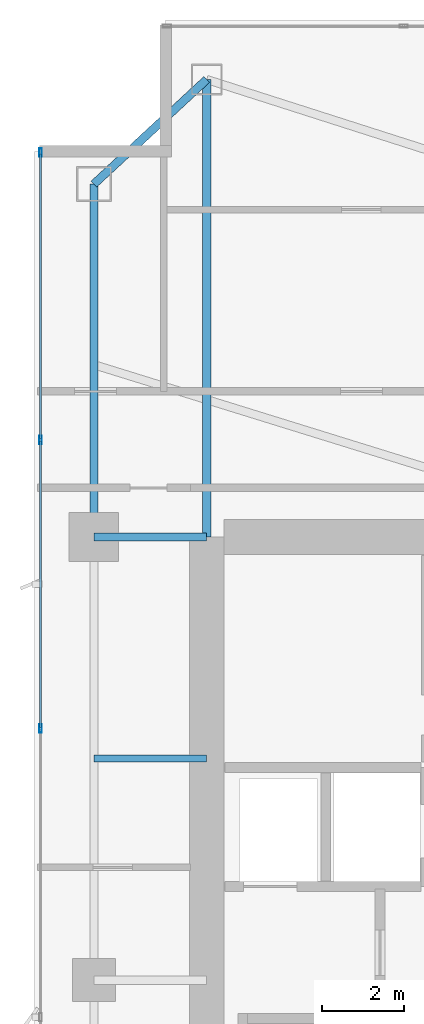
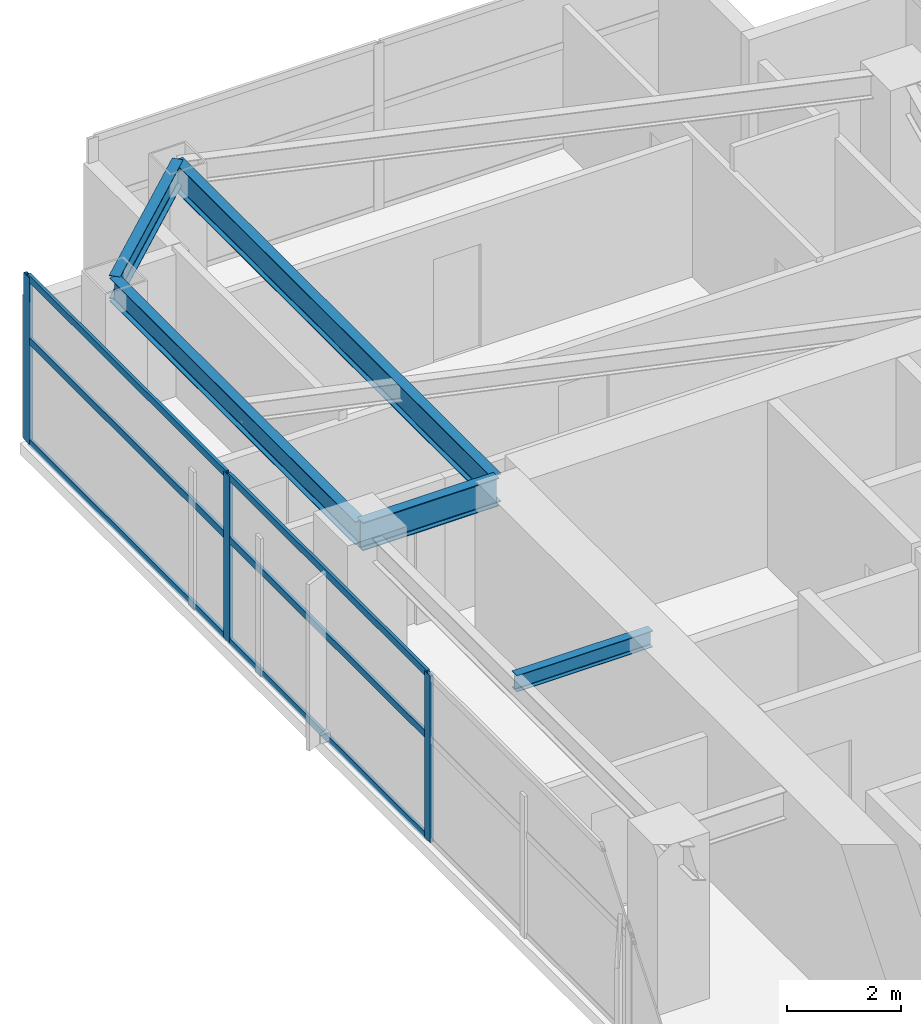
# One storey, part 16 of 29: 9 members, 5 beams, 1 element without a shape of its own.
"""IFC4 building model written with IfcOpenShell, lengths in metres."""

from ifc_helpers import new_model, si_unit, direction, frame, origin, origin_2d, place, context, subcontext, project, spatial, hollow_rectangle, i_section, extrude, material, layer, layer_set, material_profile, profile_set, type_object, element, aggregate, save


model = new_model("IFC4")

# Units and contexts
model_context = context("Model", 3, precision=1e-05, world=origin(), true_north=direction((0.0, 1.0)))
body_context = subcontext(model_context, "Body", "Model", "MODEL_VIEW")
ifc_project = project(units=[si_unit("LENGTHUNIT", "METRE"), si_unit("AREAUNIT", "SQUARE_METRE"), si_unit("VOLUMEUNIT", "CUBIC_METRE"), si_unit("PLANEANGLEUNIT", "RADIAN"), si_unit("MASSUNIT", "GRAM", prefix="KILO")], contexts=[model_context])

# Site, building, storey
site_placement = place(None, origin())
site = spatial("IfcSite", under=ifc_project, at=site_placement, CompositionType="ELEMENT")
building_placement = place(site_placement, origin())
building = spatial("IfcBuilding", under=site, at=building_placement, Name="Calvorn Quay Hotel", CompositionType="ELEMENT")
storey_placement = place(building_placement, frame((0.0, 0.0, 171.300048828125)))
storey = spatial("IfcBuildingStorey", under=building, at=storey_placement, Name="L42", CompositionType="ELEMENT", Elevation=171.300048828125)

# Beams
ifc_material_1 = material(Name="Steel Q355B", Category="steel")
ifc_material_profile_1 = material_profile(ifc_material_1, i_section(OverallWidth=0.199951171875, OverallDepth=0.60009765625, WebThickness=0.010986328125, FlangeThickness=0.01708984375, FilletRadius=0.01806640625, at=origin_2d()), Name="HN600x200x11x17")
ifc_profile_set_1 = profile_set([ifc_material_profile_1], Name="Steel Q355B")
beam_type_1 = type_object("IfcBeamType", Name="BM-GIRD-TYP", PredefinedType="BEAM", material=ifc_profile_set_1)
beam_1_placement = place(storey_placement, frame((1.449951171875, 38.39990234375, 3.239990234375), z_axis=(1.0, 0.0, 0.0), x_axis=(0.0, 1.0, 0.0)))
element("IfcBeam", 1, at=beam_1_placement, inside=storey, type_object=beam_type_1, Name="Beam BG-L42-W3", PredefinedType="BEAM", context=body_context, shape_type="SweptSolid", body=[
    extrude(i_section(OverallWidth=0.199951171875, OverallDepth=0.60009765625, WebThickness=0.010986328125, FlangeThickness=0.01708984375, FilletRadius=0.01806640625, at=origin_2d()), origin(), (0.0, 0.0, 1.0), 2.75),
])
beam_2_placement = place(storey_placement, frame((4.199951171875, 49.550048828125, 3.239990234375), z_axis=(0.0, -1.0, 0.0), x_axis=(1.0, 0.0, 0.0)))
element("IfcBeam", 2, at=beam_2_placement, inside=storey, type_object=beam_type_1, Name="Beam BG-L42-W5", PredefinedType="BEAM", context=body_context, shape_type="SweptSolid", body=[
    extrude(i_section(OverallWidth=0.199951171875, OverallDepth=0.60009765625, WebThickness=0.010986328125, FlangeThickness=0.01708984375, FilletRadius=0.01806640625, at=origin_2d()), origin(), (0.0, 0.0, 1.0), 11.150146484375),
])
ifc_material_2 = material(Name="Steel Q355B", Category="steel")
ifc_material_profile_2 = material_profile(ifc_material_2, i_section(OverallWidth=0.175048828125, OverallDepth=0.35009765625, WebThickness=0.007080078125, FlangeThickness=0.010986328125, FilletRadius=0.013916015625, at=origin_2d()), Name="HN350x175x7x11")
ifc_profile_set_2 = profile_set([ifc_material_profile_2], Name="Steel Q355B")
beam_type_2 = type_object("IfcBeamType", Name="BM-JOIST-SEC", PredefinedType="JOIST", material=ifc_profile_set_2)
beam_3_placement = place(storey_placement, frame((1.449951171875, 33.0, 3.364990234375), z_axis=(1.0, 0.0, 0.0), x_axis=(0.0, 1.0, 0.0)))
element("IfcBeam", 3, at=beam_3_placement, inside=storey, type_object=beam_type_2, Name="Beam BJ-L42-W4", PredefinedType="JOIST", context=body_context, shape_type="SweptSolid", body=[
    extrude(i_section(OverallWidth=0.175048828125, OverallDepth=0.35009765625, WebThickness=0.007080078125, FlangeThickness=0.010986328125, FilletRadius=0.013916015625, at=origin_2d()), origin(), (0.0, 0.0, 1.0), 2.75),
])
ifc_material_3 = material(Name="Steel Q355B", Category="steel")
ifc_material_profile_3 = material_profile(ifc_material_3, i_section(OverallWidth=0.199951171875, OverallDepth=0.5, WebThickness=0.010009765625, FlangeThickness=0.01611328125, FilletRadius=0.01611328125, at=origin_2d()), Name="HN500x200x10x16")
ifc_profile_set_3 = profile_set([ifc_material_profile_3], Name="Steel Q355B")
beam_type_3 = type_object("IfcBeamType", Name="BM-SPANDREL-Z1", PredefinedType="SPANDREL", material=ifc_profile_set_3)
beam_4_placement = place(storey_placement, frame((1.449951171875, 38.39990234375, 3.2900390625), z_axis=(0.0, 1.0, 0.0), x_axis=(-1.0, 0.0, 0.0)))
element("IfcBeam", 4, at=beam_4_placement, inside=storey, type_object=beam_type_3, Name="Beam BSP-L42-W4", PredefinedType="SPANDREL", context=body_context, shape_type="SweptSolid", body=[
    extrude(i_section(OverallWidth=0.199951171875, OverallDepth=0.5, WebThickness=0.010009765625, FlangeThickness=0.01611328125, FilletRadius=0.01611328125, at=origin_2d()), origin(), (0.0, 0.0, 1.0), 8.60009765625),
])
beam_5_placement = place(storey_placement, frame((1.449951171875, 47.0, 3.2900390625), z_axis=(0.733261665538, 0.679946563969, 0.0), x_axis=(-0.679946563969, 0.733261665538, 0.0)))
element("IfcBeam", 5, at=beam_5_placement, inside=storey, type_object=beam_type_3, Name="Beam BSP-L42-W5", PredefinedType="SPANDREL", context=body_context, shape_type="SweptSolid", body=[
    extrude(i_section(OverallWidth=0.199951171875, OverallDepth=0.5, WebThickness=0.010009765625, FlangeThickness=0.01611328125, FilletRadius=0.01611328125, at=origin_2d()), origin(), (0.0, 0.0, 1.0), 3.75048828125),
])

# Curtain wall, members
ifc_material_4 = material(Name="Pale Anodised Aluminium and Low-E Glass", Category="aluminium")
ifc_layer = layer(ifc_material_4, 0.219970703125)
ifc_layer_set = layer_set([ifc_layer], Name="CW-SYS-Z2")
curtain_wall_type = type_object("IfcCurtainWallType", Name="CW-SYS-Z2", PredefinedType="NOTDEFINED", material=ifc_layer_set)
curtain_wall_placement = place(storey_placement, origin())
curtain_wall = element("IfcCurtainWall", 6, at=curtain_wall_placement, inside=storey, type_object=curtain_wall_type, Name="Tower West Curtain Wall (L42)", PredefinedType="NOTDEFINED")
ifc_material_5 = material(Name="Pale Anodised Aluminium 6063-T6", Category="aluminium")
ifc_material_profile_4 = material_profile(ifc_material_5, hollow_rectangle(XDim=0.070068359375, YDim=0.199951171875, WallThickness=0.00390625, at=origin_2d()), Name="ALU-M200x70x4")
ifc_profile_set_4 = profile_set([ifc_material_profile_4], Name="Pale Anodised Aluminium 6063-T6")
member_type_1 = type_object("IfcMemberType", Name="CW-SYS-Z2-MUL", PredefinedType="MULLION", material=ifc_profile_set_4)
member_1_placement = place(storey_placement, frame((0.14990234375, 33.7333984375, 0.0), z_axis=(0.0, 0.0, 1.0), x_axis=(-1.0, 0.0, 0.0)))
member_1 = element("IfcMember", 7, at=member_1_placement, type_object=member_type_1, Name="CW-L42-W mullion 5", PredefinedType="MULLION", context=body_context, shape_type="SweptSolid", body=[
    extrude(hollow_rectangle(XDim=0.070068359375, YDim=0.199951171875, WallThickness=0.00390625, at=origin_2d()), origin(), (0.0, 0.0, 1.0), 3.56005859375),
])
member_2_placement = place(storey_placement, frame((0.14990234375, 40.7666015625, 0.0), z_axis=(0.0, 0.0, 1.0), x_axis=(-1.0, 0.0, 0.0)))
member_2 = element("IfcMember", 8, at=member_2_placement, type_object=member_type_1, Name="CW-L42-W mullion 6", PredefinedType="MULLION", context=body_context, shape_type="SweptSolid", body=[
    extrude(hollow_rectangle(XDim=0.070068359375, YDim=0.199951171875, WallThickness=0.00390625, at=origin_2d()), origin(), (0.0, 0.0, 1.0), 3.56005859375),
])
member_3_placement = place(storey_placement, frame((0.14990234375, 47.77001953125, 0.0), z_axis=(0.0, 0.0, 1.0), x_axis=(-1.0, 0.0, 0.0)))
member_3 = element("IfcMember", 9, at=member_3_placement, type_object=member_type_1, Name="CW-L42-W mullion 7", PredefinedType="MULLION", context=body_context, shape_type="SweptSolid", body=[
    extrude(hollow_rectangle(XDim=0.070068359375, YDim=0.199951171875, WallThickness=0.00390625, at=origin_2d()), origin(), (0.0, 0.0, 1.0), 3.56005859375),
])
ifc_material_6 = material(Name="Pale Anodised Aluminium 6063-T6", Category="aluminium")
ifc_material_profile_5 = material_profile(ifc_material_6, hollow_rectangle(XDim=0.06005859375, YDim=0.14990234375, WallThickness=0.00341796875, at=origin_2d()), Name="ALU-T150x60x3.5")
ifc_profile_set_5 = profile_set([ifc_material_profile_5], Name="Pale Anodised Aluminium 6063-T6")
member_type_2 = type_object("IfcMemberType", Name="CW-SYS-Z2-TRN", PredefinedType="USERDEFINED", material=ifc_profile_set_5)
member_4_placement = place(storey_placement, frame((0.14990234375, 33.763427734375, 0.030029296875), z_axis=(0.0, 1.0, 0.0), x_axis=(-1.0, 0.0, 0.0)))
member_4 = element("IfcMember", 10, at=member_4_placement, type_object=member_type_2, Name="CW-L42-W transom 5.1", ObjectType="TRANSOM", PredefinedType="USERDEFINED", context=body_context, shape_type="SweptSolid", body=[
    extrude(hollow_rectangle(XDim=0.06005859375, YDim=0.14990234375, WallThickness=0.00341796875, at=origin_2d()), origin(), (0.0, 0.0, 1.0), 6.97314453125),
])
member_5_placement = place(storey_placement, frame((0.14990234375, 33.763427734375, 2.199951171875), z_axis=(0.0, 1.0, 0.0), x_axis=(-1.0, 0.0, 0.0)))
member_5 = element("IfcMember", 11, at=member_5_placement, type_object=member_type_2, Name="CW-L42-W transom 5.2", ObjectType="TRANSOM", PredefinedType="USERDEFINED", context=body_context, shape_type="SweptSolid", body=[
    extrude(hollow_rectangle(XDim=0.06005859375, YDim=0.14990234375, WallThickness=0.00341796875, at=origin_2d()), origin(), (0.0, 0.0, 1.0), 6.97314453125),
])
member_6_placement = place(storey_placement, frame((0.14990234375, 33.763427734375, 3.530029296875), z_axis=(0.0, 1.0, 0.0), x_axis=(-1.0, 0.0, 0.0)))
member_6 = element("IfcMember", 12, at=member_6_placement, type_object=member_type_2, Name="CW-L42-W transom 5.3", ObjectType="TRANSOM", PredefinedType="USERDEFINED", context=body_context, shape_type="SweptSolid", body=[
    extrude(hollow_rectangle(XDim=0.06005859375, YDim=0.14990234375, WallThickness=0.00341796875, at=origin_2d()), origin(), (0.0, 0.0, 1.0), 6.97314453125),
])
member_7_placement = place(storey_placement, frame((0.14990234375, 40.796630859375, 0.030029296875), z_axis=(0.0, 1.0, 0.0), x_axis=(-1.0, 0.0, 0.0)))
member_7 = element("IfcMember", 13, at=member_7_placement, type_object=member_type_2, Name="CW-L42-W transom 6.1", ObjectType="TRANSOM", PredefinedType="USERDEFINED", context=body_context, shape_type="SweptSolid", body=[
    extrude(hollow_rectangle(XDim=0.06005859375, YDim=0.14990234375, WallThickness=0.00341796875, at=origin_2d()), origin(), (0.0, 0.0, 1.0), 6.943359375),
])
member_8_placement = place(storey_placement, frame((0.14990234375, 40.796630859375, 2.199951171875), z_axis=(0.0, 1.0, 0.0), x_axis=(-1.0, 0.0, 0.0)))
member_8 = element("IfcMember", 14, at=member_8_placement, type_object=member_type_2, Name="CW-L42-W transom 6.2", ObjectType="TRANSOM", PredefinedType="USERDEFINED", context=body_context, shape_type="SweptSolid", body=[
    extrude(hollow_rectangle(XDim=0.06005859375, YDim=0.14990234375, WallThickness=0.00341796875, at=origin_2d()), origin(), (0.0, 0.0, 1.0), 6.943359375),
])
member_9_placement = place(storey_placement, frame((0.14990234375, 40.796630859375, 3.530029296875), z_axis=(0.0, 1.0, 0.0), x_axis=(-1.0, 0.0, 0.0)))
member_9 = element("IfcMember", 15, at=member_9_placement, type_object=member_type_2, Name="CW-L42-W transom 6.3", ObjectType="TRANSOM", PredefinedType="USERDEFINED", context=body_context, shape_type="SweptSolid", body=[
    extrude(hollow_rectangle(XDim=0.06005859375, YDim=0.14990234375, WallThickness=0.00341796875, at=origin_2d()), origin(), (0.0, 0.0, 1.0), 6.943359375),
])
aggregate(curtain_wall, [member_1, member_2, member_3, member_4, member_5, member_6, member_7, member_8, member_9])

save(model, "model.ifc")
